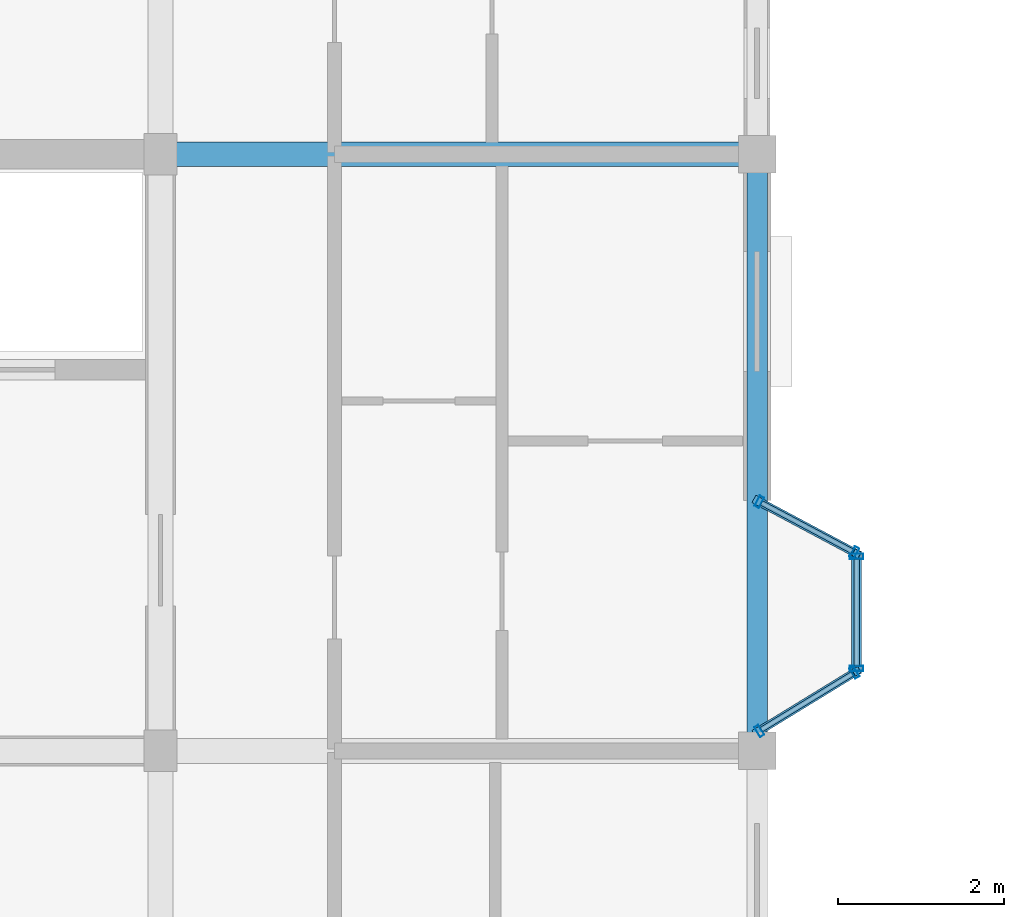
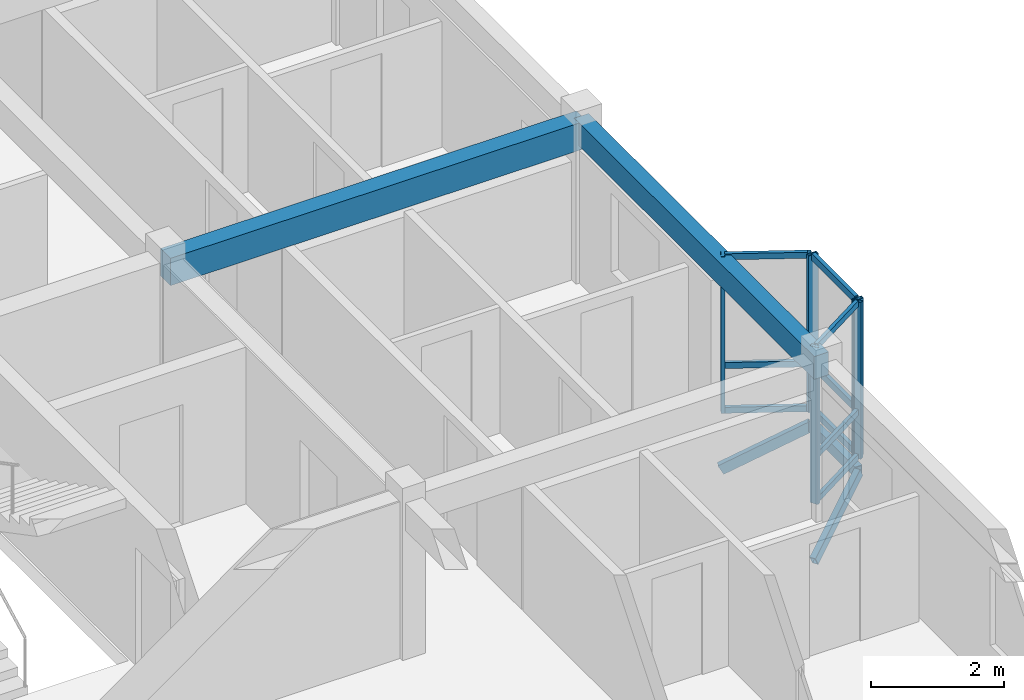
# One storey, part 7 of 23: 18 members, 2 beams, 3 elements without a shape of their own.
"""IFC4 building model written with IfcOpenShell, lengths in metres."""

import ifcopenshell
import ifcopenshell.guid

model = None  # the IFC model being written
_history = None  # IfcOwnerHistory: only IFC2X3 demands one
_inside = {}  # id of a spatial element -> (the spatial element, [elements in it])
_under = {}  # id of a project, library or spatial element -> (it, [spatial elements below it])
_declared = {}  # id of a project -> (the project, [libraries it declares])
_typed = {}  # id of a type object -> (the type object, [elements of that type])
_made_of = {}  # id of a material, layer set ... -> (it, [elements and type objects made of it])


def new_model(schema):
    """Start an empty IFC model of exactly this schema.

    Asked for "IFC4X3", IfcOpenShell would pick the latest addendum, in which some entities
    have other attributes; the version numbers below select the first issue.
    IFC2X3 requires an IfcOwnerHistory on every rooted entity: one is made here for all.
    """
    global model, _history
    if schema == "IFC4X3":
        model = ifcopenshell.file(schema_version=(4, 3, 0, 0))
    else:
        model = ifcopenshell.file(schema=schema)
    _inside.clear()
    _under.clear()
    _declared.clear()
    _typed.clear()
    _made_of.clear()
    _history = None
    if model.schema == "IFC2X3":
        org = make("IfcOrganization", Name="unknown")
        user = make(
            "IfcPersonAndOrganization",
            ThePerson=make("IfcPerson", FamilyName="unknown"),
            TheOrganization=org,
        )
        app = make(
            "IfcApplication",
            ApplicationDeveloper=org,
            Version="unknown",
            ApplicationFullName="unknown",
            ApplicationIdentifier="unknown",
        )
        _history = make(
            "IfcOwnerHistory",
            OwningUser=user,
            OwningApplication=app,
            ChangeAction="ADDED",
            CreationDate=0,
        )
    return model


def make(cls, **values):
    """One entity of the class cls with the attributes given. An attribute that is None is left unset."""
    return model.create_entity(
        cls, **{name: value for name, value in values.items() if value is not None}
    )


def rooted(cls, **values):
    """An entity with a GlobalId (a new one), such as an element, a storey or a relation."""
    return make(cls, GlobalId=ifcopenshell.guid.new(), OwnerHistory=_history, **values)


def si_unit(unit_type, name, prefix=None):
    """IfcSIUnit, for example si_unit("LENGTHUNIT", "METRE", prefix="MILLI")."""
    return make("IfcSIUnit", UnitType=unit_type, Prefix=prefix, Name=name)


def assignment(units):
    """IfcUnitAssignment: the units of a project."""
    return None if units is None else make("IfcUnitAssignment", Units=units)


def point(xyz):
    """IfcCartesianPoint."""
    return None if xyz is None else make("IfcCartesianPoint", Coordinates=xyz)


def direction(xyz):
    """IfcDirection."""
    return None if xyz is None else make("IfcDirection", DirectionRatios=xyz)


def frame(location, z_axis=None, x_axis=None):
    """IfcAxis2Placement3D, a coordinate frame: its origin and axes. An axis left out is left unset."""
    return make(
        "IfcAxis2Placement3D",
        Location=point(location),
        Axis=direction(z_axis),
        RefDirection=direction(x_axis),
    )


def frame_2d(location, x_axis=None):
    """IfcAxis2Placement2D, a coordinate frame in the plane: its origin and x axis."""
    return make(
        "IfcAxis2Placement2D", Location=point(location), RefDirection=direction(x_axis)
    )


def origin():
    """The frame at (0, 0, 0) with its axes left unset."""
    return frame((0.0, 0.0, 0.0))


def origin_2d():
    """The frame at (0, 0) in the plane with its x axis left unset."""
    return frame_2d((0.0, 0.0))


def place(relative_to, where):
    """IfcLocalPlacement: puts the frame where relative to a parent placement (None: the world)."""
    return make(
        "IfcLocalPlacement", PlacementRelTo=relative_to, RelativePlacement=where
    )


def context(
    kind, dimensions, precision=None, world=None, true_north=None, identifier=None
):
    """IfcGeometricRepresentationContext, for example the 3D "Model" context."""
    return make(
        "IfcGeometricRepresentationContext",
        ContextIdentifier=identifier,
        ContextType=kind,
        CoordinateSpaceDimension=dimensions,
        Precision=precision,
        WorldCoordinateSystem=world,
        TrueNorth=true_north,
    )


def subcontext(parent, identifier, kind, view, scale=None):
    """IfcGeometricRepresentationSubContext, for example "Body" below "Model"."""
    return make(
        "IfcGeometricRepresentationSubContext",
        ContextIdentifier=identifier,
        ContextType=kind,
        ParentContext=parent,
        TargetScale=scale,
        TargetView=view,
    )


def project(units=None, contexts=None):
    """IfcProject with its units and contexts."""
    return rooted(
        "IfcProject",
        Name="project",
        RepresentationContexts=contexts,
        UnitsInContext=assignment(units),
    )


def spatial(cls, under=None, at=None, **own):
    """A site, building, storey or space (cls), placed at a placement, below another one or the project."""
    s = rooted(cls, ObjectPlacement=at, **own)
    if under is not None:
        _under.setdefault(under.id(), (under, []))[1].append(s)
    return s


def profile(cls, at=None, kind="AREA", **sizes):
    """A parametric profile (cls). Its sizes go by their IFC names, for example OverallWidth=200.0."""
    return make(cls, ProfileType=kind, Position=at, **sizes)


def rectangle(**sizes):
    """IfcRectangleProfileDef."""
    return profile("IfcRectangleProfileDef", **sizes)


def hollow_rectangle(**sizes):
    """IfcRectangleHollowProfileDef."""
    return profile("IfcRectangleHollowProfileDef", **sizes)


def extrude(swept, where, along, depth):
    """IfcExtrudedAreaSolid: the profile swept, set in the frame where, extruded along a direction by depth."""
    return make(
        "IfcExtrudedAreaSolid",
        SweptArea=swept,
        Position=where,
        ExtrudedDirection=direction(along),
        Depth=depth,
    )


def shape(context_of_items, identifier, shape_type, items):
    """IfcShapeRepresentation: the items that make up one representation, for example the "Body"."""
    return make(
        "IfcShapeRepresentation",
        ContextOfItems=context_of_items,
        RepresentationIdentifier=identifier,
        RepresentationType=shape_type,
        Items=items,
    )


def material(Name=None, Category=None):
    """IfcMaterial."""
    return make("IfcMaterial", Name=Name, Category=Category)


def layer(
    of_material, thickness, ventilated=None, Name=None, Category=None, Priority=None
):
    """IfcMaterialLayer: one layer of a wall or slab, of a material (None: an air gap)."""
    return make(
        "IfcMaterialLayer",
        Material=of_material,
        LayerThickness=thickness,
        IsVentilated=ventilated,
        Name=Name,
        Category=Category,
        Priority=Priority,
    )


def layer_set(layers, Name=None):
    """IfcMaterialLayerSet."""
    return make("IfcMaterialLayerSet", MaterialLayers=layers, LayerSetName=Name)


def material_profile(
    of_material, cross_section, Name=None, Category=None, Priority=None
):
    """IfcMaterialProfile: a cross section and its material."""
    return make(
        "IfcMaterialProfile",
        Name=Name,
        Material=of_material,
        Profile=cross_section,
        Priority=Priority,
        Category=Category,
    )


def profile_set(profiles, Name=None, composite=None):
    """IfcMaterialProfileSet."""
    return make(
        "IfcMaterialProfileSet",
        Name=Name,
        MaterialProfiles=profiles,
        CompositeProfile=composite,
    )


def made_of(thing, what):
    """Note that an element or type object is made of a material, layer set ...; save() writes the relation."""
    if what is not None:
        _made_of.setdefault(what.id(), (what, []))[1].append(thing)
    return thing


def type_object(cls, material=None, **own):
    """A type object (cls), such as IfcWallType, which elements share."""
    return made_of(rooted(cls, **own), material)


def element(
    cls,
    number,
    at=None,
    inside=None,
    cuts=None,
    type_object=None,
    material=None,
    context=None,
    identifier="Body",
    shape_type=None,
    held_by="IfcProductDefinitionShape",
    body=None,
    shapes=None,
    **own,
):
    """One element of the class cls, such as IfcWall. Its Tag is "e" and its number.

    at: its placement. inside: the storey or other place that contains it. cuts: it is an
    opening in that element (IfcRelVoidsElement). A single representation is given by context,
    identifier, shape_type and body (its items); several are given by shapes. held_by: the class
    of the entity that holds the representations. save() writes the other relations.
    """
    e = rooted(cls, Tag="e%d" % number, ObjectPlacement=at, **own)
    if body is not None:
        shapes = [shape(context, identifier, shape_type, body)]
    if shapes is not None:
        e.Representation = make(held_by, Representations=shapes)
    if inside is not None:
        _inside.setdefault(inside.id(), (inside, []))[1].append(e)
    if cuts is not None:
        rooted(
            "IfcRelVoidsElement", RelatingBuildingElement=cuts, RelatedOpeningElement=e
        )
    if type_object is not None:
        _typed.setdefault(type_object.id(), (type_object, []))[1].append(e)
    return made_of(e, material)


def aggregate(whole, parts):
    """IfcRelAggregates: a whole, such as a stair, and the parts it consists of."""
    return rooted("IfcRelAggregates", RelatingObject=whole, RelatedObjects=parts)


def save(model, path):
    """Write the relations noted so far, then the file.

    IfcRelAggregates (storeys below a building ...), IfcRelContainedInSpatialStructure (elements
    in a storey), IfcRelDefinesByType, IfcRelAssociatesMaterial and IfcRelDeclares: one each for
    every whole, place, type object, material and project.
    """
    for whole, parts in _under.values():
        aggregate(whole, parts)
    for where, things in _inside.values():
        rooted(
            "IfcRelContainedInSpatialStructure",
            RelatedElements=things,
            RelatingStructure=where,
        )
    for kind, things in _typed.values():
        rooted("IfcRelDefinesByType", RelatedObjects=things, RelatingType=kind)
    for what, things in _made_of.values():
        rooted("IfcRelAssociatesMaterial", RelatedObjects=things, RelatingMaterial=what)
    for by, libraries in _declared.values():
        rooted("IfcRelDeclares", RelatingContext=by, RelatedDefinitions=libraries)
    model.write(path)


model = new_model("IFC4")

# Units and contexts
model_context = context("Model", 3, precision=1e-05, world=origin(), true_north=direction((0.0, 1.0)))
body_context = subcontext(model_context, "Body", "Model", "MODEL_VIEW")
ifc_project = project(units=[si_unit("LENGTHUNIT", "METRE"), si_unit("AREAUNIT", "SQUARE_METRE"), si_unit("VOLUMEUNIT", "CUBIC_METRE"), si_unit("PLANEANGLEUNIT", "RADIAN"), si_unit("MASSUNIT", "GRAM", prefix="KILO"), si_unit("THERMODYNAMICTEMPERATUREUNIT", "KELVIN"), si_unit("POWERUNIT", "WATT")], contexts=[model_context])

# Site, building, storey
site_placement = place(None, origin())
site = spatial("IfcSite", under=ifc_project, at=site_placement, CompositionType="ELEMENT")
building_placement = place(site_placement, origin())
building = spatial("IfcBuilding", under=site, at=building_placement, Name="Tavuni Mirador Residences", CompositionType="ELEMENT")
storey_placement = place(building_placement, frame((0.0, 0.0, 42.300048828125)))
storey = spatial("IfcBuildingStorey", under=building, at=storey_placement, Name="L13", CompositionType="ELEMENT", Elevation=42.300048828125)

# Beams
ifc_material_1 = material(Name="Precast concrete C40/50", Category="concrete")
ifc_material_profile_1 = material_profile(ifc_material_1, rectangle(XDim=0.300048828125, YDim=0.5, at=origin_2d()), Name="PC 300x500", Category="concrete")
ifc_profile_set_1 = profile_set([ifc_material_profile_1], Name="Precast concrete C40/50")
beam_type_1 = type_object("IfcBeamType", Name="BT-B500", PredefinedType="BEAM", material=ifc_profile_set_1)
beam_1_placement = place(storey_placement, frame((18.0, 21.60009765625, 2.619873046875), z_axis=(1.0, 0.0, 0.0), x_axis=(0.0, 1.0, 0.0)))
element("IfcBeam", 1, at=beam_1_placement, inside=storey, type_object=beam_type_1, Name="BMX-BLK-A-L13-02-02", PredefinedType="BEAM", context=body_context, shape_type="SweptSolid", body=[
    extrude(rectangle(XDim=0.300048828125, YDim=0.5, at=origin_2d()), origin(), (0.0, 0.0, 1.0), 7.199951171875),
])
ifc_material_profile_2 = material_profile(ifc_material_1, rectangle(XDim=0.25, YDim=0.419921875, at=origin_2d()), Name="PC 250x420", Category="concrete")
ifc_profile_set_2 = profile_set([ifc_material_profile_2], Name="Precast concrete C40/50")
beam_type_2 = type_object("IfcBeamType", Name="BT-SP420", PredefinedType="SPANDREL", material=ifc_profile_set_2)
beam_2_placement = place(storey_placement, frame((25.199951171875, 14.39990234375, 2.659912109375), z_axis=(0.0, 1.0, 0.0), x_axis=(-1.0, 0.0, 0.0)))
element("IfcBeam", 2, at=beam_2_placement, inside=storey, type_object=beam_type_2, Name="BMY-BLK-A-L13-03-01", PredefinedType="SPANDREL", context=body_context, shape_type="SweptSolid", body=[
    extrude(rectangle(XDim=0.25, YDim=0.419921875, at=origin_2d()), origin(), (0.0, 0.0, 1.0), 7.2001953125),
])

# Curtain wall, members
ifc_material_2 = material(Name="Anodised aluminium", Category="aluminium")
ifc_layer_1 = layer(ifc_material_2, 0.175048828125, Name="Anodised aluminium", Category="aluminium")
ifc_layer_set_1 = layer_set([ifc_layer_1], Name="Anodised aluminium")
curtain_wall_type_1 = type_object("IfcCurtainWallType", Name="CWT-MIR-C", PredefinedType="NOTDEFINED", material=ifc_layer_set_1)
curtain_wall_1_placement = place(storey_placement, origin())
curtain_wall_1 = element("IfcCurtainWall", 3, at=curtain_wall_1_placement, inside=storey, type_object=curtain_wall_type_1, Name="CW-MIR-A-EU-L13-M1", PredefinedType="NOTDEFINED")
ifc_material_profile_3 = material_profile(ifc_material_2, hollow_rectangle(XDim=0.06005859375, YDim=0.139892578125, WallThickness=0.00390625, at=origin_2d()), Name="ALU 60x140x4.0", Category="aluminium")
ifc_profile_set_3 = profile_set([ifc_material_profile_3], Name="Anodised aluminium")
member_type_1 = type_object("IfcMemberType", Name="CWM-140", PredefinedType="MULLION", material=ifc_profile_set_3)
member_1_placement = place(storey_placement, frame((25.2255859375, 14.640625, 0.0), z_axis=(0.0, 0.0, 1.0), x_axis=(0.852754414845, 0.522312079088, 0.0)))
member_1 = element("IfcMember", 4, at=member_1_placement, type_object=member_type_1, Name="CW-03 mullion 1", PredefinedType="MULLION", context=body_context, shape_type="SweptSolid", body=[
    extrude(hollow_rectangle(XDim=0.06005859375, YDim=0.139892578125, WallThickness=0.00390625, at=origin_2d()), origin(), (0.0, 0.0, 1.0), 2.869873046875),
])
member_2_placement = place(storey_placement, frame((26.37451171875, 15.34423828125, 0.0), z_axis=(0.0, 0.0, 1.0), x_axis=(0.852754414845, 0.522312079088, 0.0)))
member_2 = element("IfcMember", 5, at=member_2_placement, type_object=member_type_1, Name="CW-03 mullion 2", PredefinedType="MULLION", context=body_context, shape_type="SweptSolid", body=[
    extrude(hollow_rectangle(XDim=0.06005859375, YDim=0.139892578125, WallThickness=0.00390625, at=origin_2d()), origin(), (0.0, 0.0, 1.0), 2.869873046875),
])

ifc_layer_2 = layer(ifc_material_2, 0.1650390625, Name="Anodised aluminium", Category="aluminium")
ifc_layer_set_2 = layer_set([ifc_layer_2], Name="Anodised aluminium")
curtain_wall_type_2 = type_object("IfcCurtainWallType", Name="CWT-MIR-A", PredefinedType="NOTDEFINED", material=ifc_layer_set_2)
curtain_wall_2_placement = place(storey_placement, origin())
curtain_wall_2 = element("IfcCurtainWall", 6, at=curtain_wall_2_placement, inside=storey, type_object=curtain_wall_type_2, Name="CW-MIR-A-EU-L13-M2", PredefinedType="NOTDEFINED")
member_3_placement = place(storey_placement, frame((26.37353515625, 16.794189453125, 0.0), z_axis=(0.0, 0.0, 1.0), x_axis=(-0.882352941175, 0.470588235296, 0.0)))
member_3 = element("IfcMember", 7, at=member_3_placement, type_object=member_type_1, Name="CW-01 mullion 1", PredefinedType="MULLION", context=body_context, shape_type="SweptSolid", body=[
    extrude(hollow_rectangle(XDim=0.06005859375, YDim=0.139892578125, WallThickness=0.00390625, at=origin_2d()), origin(), (0.0, 0.0, 1.0), 2.869873046875),
])
member_4_placement = place(storey_placement, frame((25.2265625, 17.40576171875, 0.0), z_axis=(0.0, 0.0, 1.0), x_axis=(-0.882352941175, 0.470588235296, 0.0)))
member_4 = element("IfcMember", 8, at=member_4_placement, type_object=member_type_1, Name="CW-01 mullion 2", PredefinedType="MULLION", context=body_context, shape_type="SweptSolid", body=[
    extrude(hollow_rectangle(XDim=0.06005859375, YDim=0.139892578125, WallThickness=0.00390625, at=origin_2d()), origin(), (0.0, 0.0, 1.0), 2.869873046875),
])

ifc_layer_3 = layer(ifc_material_2, 0.159912109375, Name="Anodised aluminium", Category="aluminium")
ifc_layer_set_3 = layer_set([ifc_layer_3], Name="Anodised aluminium")
curtain_wall_type_3 = type_object("IfcCurtainWallType", Name="CWT-MIR-D", PredefinedType="NOTDEFINED", material=ifc_layer_set_3)
curtain_wall_3_placement = place(storey_placement, origin())
curtain_wall_3 = element("IfcCurtainWall", 9, at=curtain_wall_3_placement, inside=storey, type_object=curtain_wall_type_3, Name="CW-MIR-A-EU-L13-MF", PredefinedType="NOTDEFINED")
ifc_material_profile_4 = material_profile(ifc_material_2, hollow_rectangle(XDim=0.06494140625, YDim=0.1650390625, WallThickness=0.00439453125, at=origin_2d()), Name="ALU 65x165x4.5", Category="aluminium")
ifc_profile_set_4 = profile_set([ifc_material_profile_4], Name="Anodised aluminium")
member_type_2 = type_object("IfcMemberType", Name="CWM-165", PredefinedType="MULLION", material=ifc_profile_set_4)
member_5_placement = place(storey_placement, frame((26.39990234375, 15.392578125, 0.0), z_axis=(0.0, 0.0, 1.0), x_axis=(0.0, 1.0, 0.0)))
member_5 = element("IfcMember", 10, at=member_5_placement, type_object=member_type_2, Name="CW-04 mullion 1", PredefinedType="MULLION", context=body_context, shape_type="SweptSolid", body=[
    extrude(hollow_rectangle(XDim=0.06494140625, YDim=0.1650390625, WallThickness=0.00439453125, at=origin_2d()), origin(), (0.0, 0.0, 1.0), 2.869873046875),
])
member_6_placement = place(storey_placement, frame((26.39990234375, 16.74755859375, 0.0), z_axis=(0.0, 0.0, 1.0), x_axis=(0.0, 1.0, 0.0)))
member_6 = element("IfcMember", 11, at=member_6_placement, type_object=member_type_2, Name="CW-04 mullion 2", PredefinedType="MULLION", context=body_context, shape_type="SweptSolid", body=[
    extrude(hollow_rectangle(XDim=0.06494140625, YDim=0.1650390625, WallThickness=0.00439453125, at=origin_2d()), origin(), (0.0, 0.0, 1.0), 2.869873046875),
])

# Member
ifc_material_profile_5 = material_profile(ifc_material_2, hollow_rectangle(XDim=0.06005859375, YDim=0.110107421875, WallThickness=0.00390625, at=origin_2d()), Name="ALU 60x110x4.0", Category="aluminium")
ifc_profile_set_5 = profile_set([ifc_material_profile_5], Name="Anodised aluminium")
member_type_3 = type_object("IfcMemberType", Name="CWT-110", PredefinedType="USERDEFINED", material=ifc_profile_set_5)
member_7_placement = place(storey_placement, frame((25.251220703125, 14.65625, 0.030029296875), z_axis=(0.852737518817, 0.522339663439, 0.0), x_axis=(-0.522339663439, 0.852737518817, 0.0)))
member_7 = element("IfcMember", 12, at=member_7_placement, type_object=member_type_3, Name="CW-03 transom 1.1", ObjectType="TRANSOM", PredefinedType="USERDEFINED", context=body_context, shape_type="SweptSolid", body=[
    extrude(hollow_rectangle(XDim=0.06005859375, YDim=0.110107421875, WallThickness=0.00390625, at=origin_2d()), origin(), (0.0, 0.0, 1.0), 1.287109375),
])

member_8_placement = place(storey_placement, frame((25.251220703125, 14.65625, 0.849853515625), z_axis=(0.852737518817, 0.522339663439, 0.0), x_axis=(-0.522339663439, 0.852737518817, 0.0)))
member_8 = element("IfcMember", 13, at=member_8_placement, type_object=member_type_3, Name="CW-03 transom 1.2", ObjectType="TRANSOM", PredefinedType="USERDEFINED", context=body_context, shape_type="SweptSolid", body=[
    extrude(hollow_rectangle(XDim=0.06005859375, YDim=0.110107421875, WallThickness=0.00390625, at=origin_2d()), origin(), (0.0, 0.0, 1.0), 1.287109375),
])

member_9_placement = place(storey_placement, frame((25.251220703125, 14.65625, 2.83984375), z_axis=(0.852737518817, 0.522339663439, 0.0), x_axis=(-0.522339663439, 0.852737518817, 0.0)))
member_9 = element("IfcMember", 14, at=member_9_placement, type_object=member_type_3, Name="CW-03 transom 1.3", ObjectType="TRANSOM", PredefinedType="USERDEFINED", context=body_context, shape_type="SweptSolid", body=[
    extrude(hollow_rectangle(XDim=0.06005859375, YDim=0.110107421875, WallThickness=0.00390625, at=origin_2d()), origin(), (0.0, 0.0, 1.0), 1.287109375),
])

aggregate(curtain_wall_1, [member_1, member_2, member_7, member_8, member_9])

member_10_placement = place(storey_placement, frame((26.34716796875, 16.808349609375, 0.030029296875), z_axis=(-0.882385637708, 0.470526924168, 0.0), x_axis=(-0.470526924168, -0.882385637708, 0.0)))
member_10 = element("IfcMember", 15, at=member_10_placement, type_object=member_type_3, Name="CW-01 transom 1.1", ObjectType="TRANSOM", PredefinedType="USERDEFINED", context=body_context, shape_type="SweptSolid", body=[
    extrude(hollow_rectangle(XDim=0.06005859375, YDim=0.110107421875, WallThickness=0.00390625, at=origin_2d()), origin(), (0.0, 0.0, 1.0), 1.239990234375),
])

member_11_placement = place(storey_placement, frame((26.34716796875, 16.808349609375, 0.849853515625), z_axis=(-0.882385637708, 0.470526924168, 0.0), x_axis=(-0.470526924168, -0.882385637708, 0.0)))
member_11 = element("IfcMember", 16, at=member_11_placement, type_object=member_type_3, Name="CW-01 transom 1.2", ObjectType="TRANSOM", PredefinedType="USERDEFINED", context=body_context, shape_type="SweptSolid", body=[
    extrude(hollow_rectangle(XDim=0.06005859375, YDim=0.110107421875, WallThickness=0.00390625, at=origin_2d()), origin(), (0.0, 0.0, 1.0), 1.239990234375),
])

member_12_placement = place(storey_placement, frame((26.34716796875, 16.808349609375, 2.83984375), z_axis=(-0.882385637708, 0.470526924168, 0.0), x_axis=(-0.470526924168, -0.882385637708, 0.0)))
member_12 = element("IfcMember", 17, at=member_12_placement, type_object=member_type_3, Name="CW-01 transom 1.3", ObjectType="TRANSOM", PredefinedType="USERDEFINED", context=body_context, shape_type="SweptSolid", body=[
    extrude(hollow_rectangle(XDim=0.06005859375, YDim=0.110107421875, WallThickness=0.00390625, at=origin_2d()), origin(), (0.0, 0.0, 1.0), 1.239990234375),
])

aggregate(curtain_wall_2, [member_3, member_4, member_10, member_11, member_12])

ifc_material_profile_6 = material_profile(ifc_material_2, hollow_rectangle(XDim=0.06494140625, YDim=0.125, WallThickness=0.00439453125, at=origin_2d()), Name="ALU 65x125x4.5", Category="aluminium")
ifc_profile_set_6 = profile_set([ifc_material_profile_6], Name="Anodised aluminium")
member_type_4 = type_object("IfcMemberType", Name="CWT-125", PredefinedType="USERDEFINED", material=ifc_profile_set_6)
member_13_placement = place(storey_placement, frame((26.39990234375, 15.425048828125, 0.032470703125), z_axis=(0.0, 1.0, 0.0), x_axis=(-1.0, 0.0, 0.0)))
member_13 = element("IfcMember", 18, at=member_13_placement, type_object=member_type_4, Name="CW-04 transom 1.1", ObjectType="TRANSOM", PredefinedType="USERDEFINED", context=body_context, shape_type="SweptSolid", body=[
    extrude(hollow_rectangle(XDim=0.06494140625, YDim=0.125, WallThickness=0.00439453125, at=origin_2d()), origin(), (0.0, 0.0, 1.0), 1.2900390625),
])

member_14_placement = place(storey_placement, frame((26.39990234375, 15.425048828125, 0.849853515625), z_axis=(0.0, 1.0, 0.0), x_axis=(-1.0, 0.0, 0.0)))
member_14 = element("IfcMember", 19, at=member_14_placement, type_object=member_type_4, Name="CW-04 transom 1.2", ObjectType="TRANSOM", PredefinedType="USERDEFINED", context=body_context, shape_type="SweptSolid", body=[
    extrude(hollow_rectangle(XDim=0.06494140625, YDim=0.125, WallThickness=0.00439453125, at=origin_2d()), origin(), (0.0, 0.0, 1.0), 1.2900390625),
])

member_15_placement = place(storey_placement, frame((26.39990234375, 15.425048828125, 2.83740234375), z_axis=(0.0, 1.0, 0.0), x_axis=(-1.0, 0.0, 0.0)))
member_15 = element("IfcMember", 20, at=member_15_placement, type_object=member_type_4, Name="CW-04 transom 1.3", ObjectType="TRANSOM", PredefinedType="USERDEFINED", context=body_context, shape_type="SweptSolid", body=[
    extrude(hollow_rectangle(XDim=0.06494140625, YDim=0.125, WallThickness=0.00439453125, at=origin_2d()), origin(), (0.0, 0.0, 1.0), 1.2900390625),
])

aggregate(curtain_wall_3, [member_5, member_6, member_13, member_14, member_15])

# Members
ifc_material_3 = material(Name="Structural steel S355", Category="steel")
ifc_material_profile_7 = material_profile(ifc_material_3, hollow_rectangle(XDim=0.10009765625, YDim=0.179931640625, WallThickness=0.008056640625, at=origin_2d()), Name="RHS 180x100x8.0", Category="steel")
ifc_profile_set_7 = profile_set([ifc_material_profile_7], Name="Structural steel S355")
member_type_5 = type_object("IfcMemberType", Name="MT-BR-RHS180", PredefinedType="BRACE", material=ifc_profile_set_7)
member_16_placement = place(storey_placement, frame((25.199951171875, 14.625, -1.050048828125), z_axis=(0.74804402092, 0.458262573142, 0.480026620953), x_axis=(-0.522383043033, 0.852710945369, 0.0)))
element("IfcMember", 21, at=member_16_placement, inside=storey, type_object=member_type_5, Name="MBRK-MIR-A-EU-L13-1", PredefinedType="BRACE", context=body_context, shape_type="SweptSolid", body=[
    extrude(hollow_rectangle(XDim=0.10009765625, YDim=0.179931640625, WallThickness=0.008056640625, at=origin_2d()), origin(), (0.0, 0.0, 1.0), 1.60400390625),
])
member_17_placement = place(storey_placement, frame((25.199951171875, 17.419921875, -1.050048828125), z_axis=(0.767832085801, -0.409458371696, 0.492724801346), x_axis=(0.47054164445, 0.882377788047, 0.0)))
element("IfcMember", 22, at=member_17_placement, inside=storey, type_object=member_type_5, Name="MBRK-MIR-A-EU-L13-2", PredefinedType="BRACE", context=body_context, shape_type="SweptSolid", body=[
    extrude(hollow_rectangle(XDim=0.10009765625, YDim=0.179931640625, WallThickness=0.008056640625, at=origin_2d()), origin(), (0.0, 0.0, 1.0), 1.562744140625),
])
ifc_material_profile_8 = material_profile(ifc_material_3, hollow_rectangle(XDim=0.1201171875, YDim=0.199951171875, WallThickness=0.010009765625, at=origin_2d()), Name="RHS 200x120x10.0", Category="steel")
ifc_profile_set_8 = profile_set([ifc_material_profile_8], Name="Structural steel S355")
member_type_6 = type_object("IfcMemberType", Name="MT-ST-RHS200", PredefinedType="STRUT", material=ifc_profile_set_8)
member_18_placement = place(storey_placement, frame((26.39990234375, 15.360107421875, -0.280029296875), z_axis=(0.0, 1.0, 0.0), x_axis=(-1.0, 0.0, 0.0)))
element("IfcMember", 23, at=member_18_placement, inside=storey, type_object=member_type_6, Name="MRIM-MIR-A-EU-L13", PredefinedType="STRUT", context=body_context, shape_type="SweptSolid", body=[
    extrude(hollow_rectangle(XDim=0.1201171875, YDim=0.199951171875, WallThickness=0.010009765625, at=origin_2d()), origin(), (0.0, 0.0, 1.0), 1.419921875),
])

save(model, "model.ifc")
